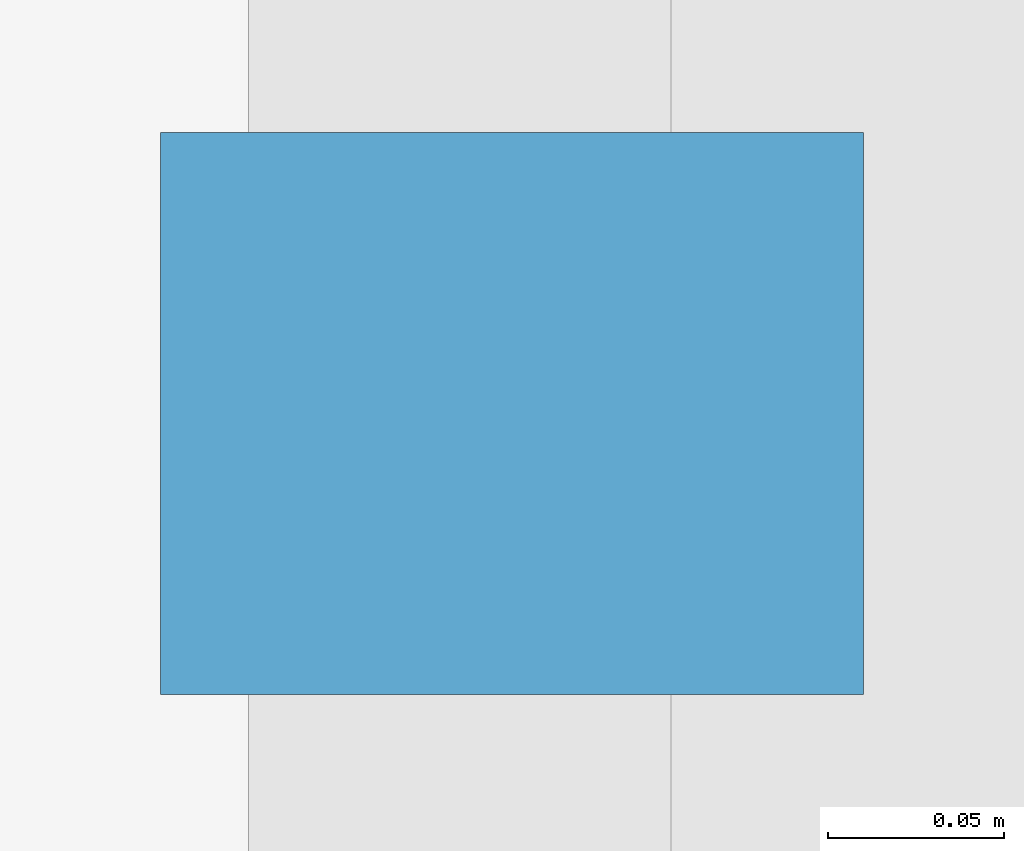
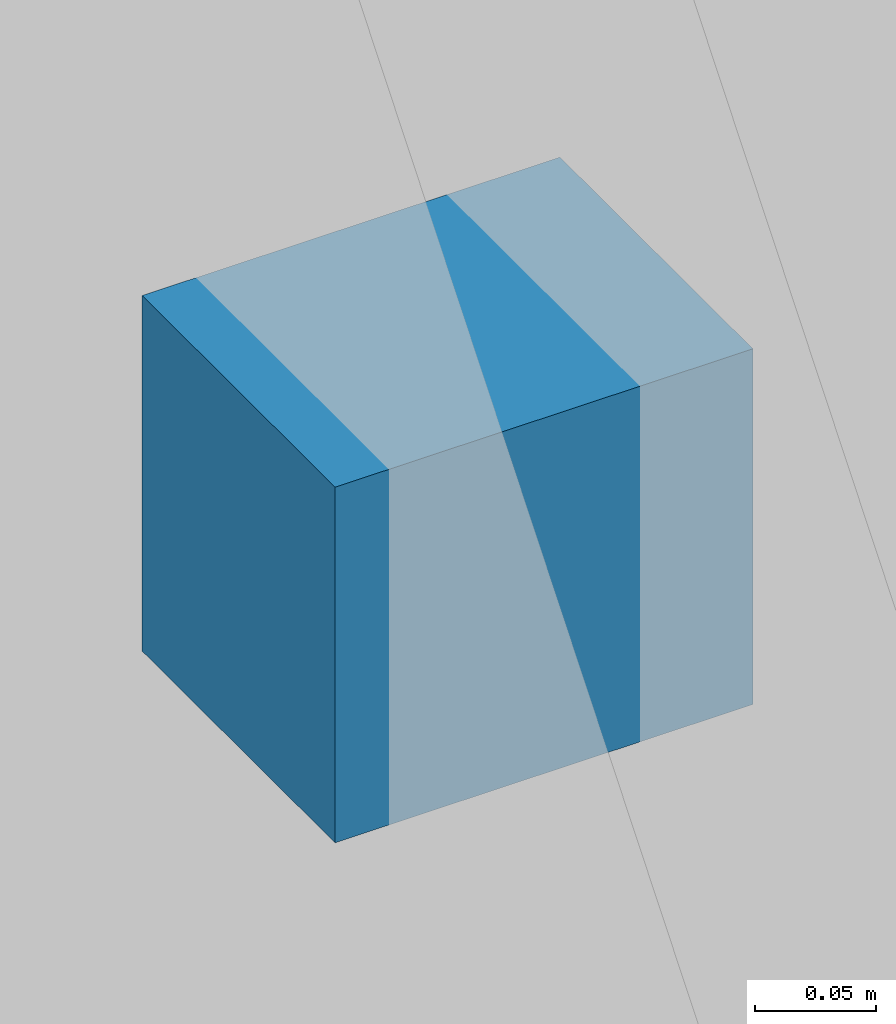
# One storey, part 23 of 27: 1 discrete accessory.
"""IFC4 building model written with IfcOpenShell, lengths in metres."""

from ifc_helpers import new_model, si_unit, direction, frame, origin, origin_2d, place, context, subcontext, project, spatial, rectangle, extrude, material, type_object, element, save


model = new_model("IFC4")

# Units and contexts
model_context = context("Model", 3, precision=1e-05, world=origin(), true_north=direction((0.0, 1.0)))
body_context = subcontext(model_context, "Body", "Model", "MODEL_VIEW")
ifc_project = project(units=[si_unit("LENGTHUNIT", "METRE"), si_unit("AREAUNIT", "SQUARE_METRE"), si_unit("VOLUMEUNIT", "CUBIC_METRE"), si_unit("PLANEANGLEUNIT", "RADIAN"), si_unit("MASSUNIT", "GRAM", prefix="KILO")], contexts=[model_context])

# Site, building, storey
site_placement = place(None, origin())
site = spatial("IfcSite", under=ifc_project, at=site_placement, CompositionType="ELEMENT")
building_placement = place(site_placement, origin())
building = spatial("IfcBuilding", under=site, at=building_placement, Name="Koriwani Terraces Tower", CompositionType="ELEMENT")
storey_placement = place(building_placement, frame((0.0, 0.0, 70.0)))
storey = spatial("IfcBuildingStorey", under=building, at=storey_placement, Name="L16", CompositionType="ELEMENT", Elevation=70.0)

# Discrete accessory
ifc_material = material(Name="Steel ASTM A572 Grade 50", Category="steel")
discrete_accessory_type = type_object("IfcDiscreteAccessoryType", Name="BAGUETTE_STANDOFF_BRACKET", PredefinedType="BRACKET", material=ifc_material)
discrete_accessory_placement = place(storey_placement, frame((33.2099609375, 79.800048828125, 1.68505859375), z_axis=(0.0, 0.0, 1.0), x_axis=(0.0, -1.0, 0.0)))
element("IfcDiscreteAccessory", 1, at=discrete_accessory_placement, inside=storey, type_object=discrete_accessory_type, Name="L16 Terracotta Baguette Bracket (NW_IN-17)", PredefinedType="BRACKET", context=body_context, shape_type="SweptSolid", body=[
    extrude(rectangle(XDim=0.159912109375, YDim=0.199951171875, at=origin_2d()), origin(), (0.0, 0.0, 1.0), 0.179931640625),
])

save(model, "model.ifc")
